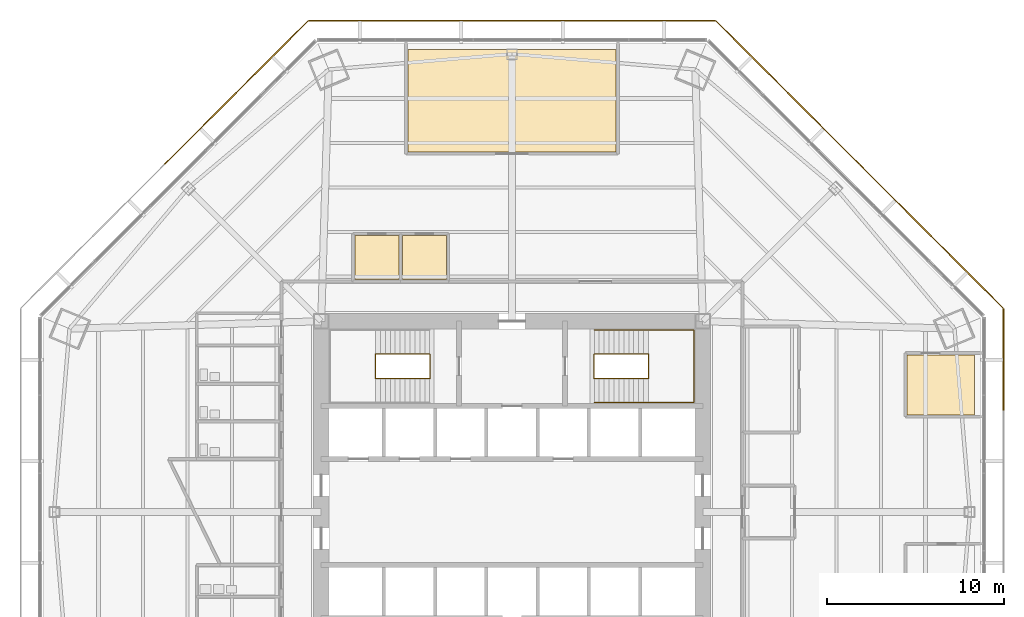
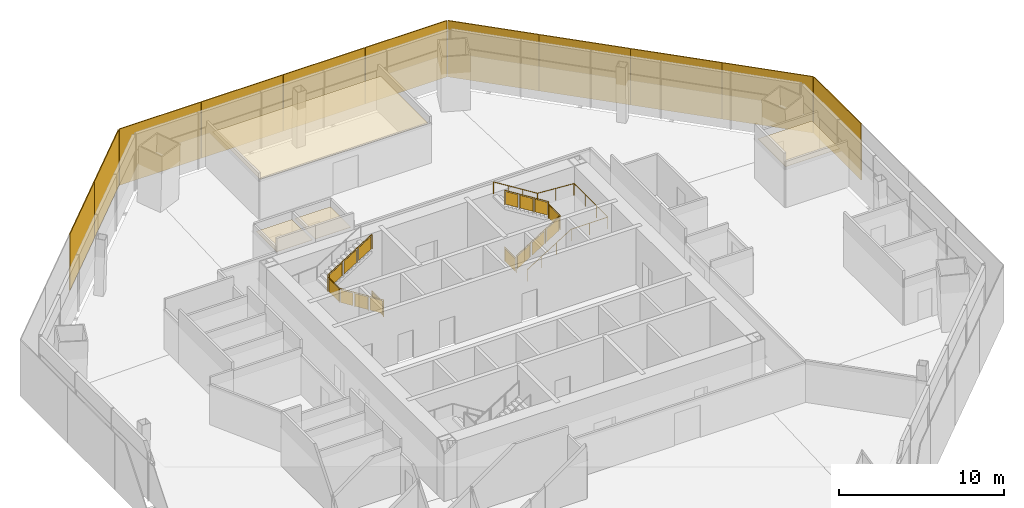
# One storey, part 12 of 13: 11 shading devices, 4 coverings, 3 railings.
"""IFC4 building model written with IfcOpenShell, lengths in metres."""

from ifc_helpers import new_model, si_unit, direction, frame, origin, origin_2d, place, context, subcontext, project, spatial, polyline, rectangle, circle, outline, extrude, source, transform, mapped, material, layer, layer_set, type_object, type_shapes, element, save


model = new_model("IFC4")

# Units and contexts
model_context = context("Model", 3, precision=1e-05, world=origin(), true_north=direction((0.0, 1.0)))
body_context = subcontext(model_context, "Body", "Model", "MODEL_VIEW")
ifc_project = project(units=[si_unit("LENGTHUNIT", "METRE"), si_unit("AREAUNIT", "SQUARE_METRE"), si_unit("VOLUMEUNIT", "CUBIC_METRE"), si_unit("PLANEANGLEUNIT", "RADIAN"), si_unit("MASSUNIT", "GRAM", prefix="KILO")], contexts=[model_context])

# Site, building, storey
site_placement = place(None, origin())
site = spatial("IfcSite", under=ifc_project, at=site_placement, CompositionType="ELEMENT")
building_placement = place(site_placement, origin())
building = spatial("IfcBuilding", under=site, at=building_placement, Name="Mashrafa Tower", CompositionType="ELEMENT")
storey_placement = place(building_placement, frame((0.0, 0.0, 45.60009765625)))
storey = spatial("IfcBuildingStorey", under=building, at=storey_placement, Name="L09", CompositionType="ELEMENT", Elevation=45.60009765625)

# Railings
ifc_material_1 = material(Name="Steel guard with glass infill", Category="steel")
railing_type_1 = type_object("IfcRailingType", Name="Stair guard 1100", PredefinedType="GUARDRAIL", material=ifc_material_1)
railing_1_placement = place(storey_placement, frame((-4.64990234375, 8.949951171875, 0.0)))
element("IfcRailing", 1, at=railing_1_placement, inside=storey, type_object=railing_type_1, Name="Stair S1 guard L09", PredefinedType="GUARDRAIL", context=body_context, shape_type="SweptSolid", body=[
    extrude(circle(Radius=0.02392578125, at=origin_2d()), frame((0.0, 0.0, 1.076171875), z_axis=(0.0, -1.0, 0.0), x_axis=(1.0, 0.0, 0.0)), (0.0, 0.0, 1.0), 1.39990234375),
    extrude(circle(Radius=0.02392578125, at=origin_2d()), frame((0.0, -1.39990234375, 1.076171875), z_axis=(0.0, 0.0, 1.0), x_axis=(1.0, 0.0, 0.0)), (0.0, 0.0, 1.0), 0.1748046875),
    extrude(circle(Radius=0.02392578125, at=origin_2d()), frame((0.0, -1.39990234375, 1.2509765625), z_axis=(-0.847998304005, 0.0, 0.529998940003), x_axis=(0.0, -1.0, 0.0)), (0.0, 0.0, 1.0), 3.632080078125),
    extrude(circle(Radius=0.02392578125, at=origin_2d()), frame((-3.080078125, -1.39990234375, 3.17578125), z_axis=(0.0, 1.0, 0.0), x_axis=(-1.0, 0.0, 0.0)), (0.0, 0.0, 1.0), 1.39990234375),
    extrude(circle(Radius=0.02392578125, at=origin_2d()), frame((-3.080078125, 0.0, 3.17578125), z_axis=(0.0, 0.0, 1.0), x_axis=(1.0, 0.0, 0.0)), (0.0, 0.0, 1.0), 0.175048828125),
    extrude(circle(Radius=0.02392578125, at=origin_2d()), frame((-3.080078125, 0.0, 3.35107421875), z_axis=(0.847998304005, 0.0, 0.529998940003), x_axis=(0.0, 1.0, 0.0)), (0.0, 0.0, 1.0), 3.632080078125),
    extrude(circle(Radius=0.02099609375, at=origin_2d()), origin(), (0.0, 0.0, 1.0), 1.052001953125),
    extrude(circle(Radius=0.02099609375, at=origin_2d()), frame((0.0, -1.39990234375, 0.0)), (0.0, 0.0, 1.0), 1.052001953125),
    extrude(circle(Radius=0.02099609375, at=origin_2d()), frame((0.0, -1.39990234375, 0.1748046875)), (0.0, 0.0, 1.0), 1.052001953125),
    extrude(circle(Radius=0.02099609375, at=origin_2d()), frame((-1.026611328125, -1.39990234375, 0.81640625)), (0.0, 0.0, 1.0), 1.052001953125),
    extrude(circle(Radius=0.02099609375, at=origin_2d()), frame((-2.053466796875, -1.39990234375, 1.458251953125)), (0.0, 0.0, 1.0), 1.052001953125),
    extrude(circle(Radius=0.02099609375, at=origin_2d()), frame((-3.080078125, -1.39990234375, 2.099853515625)), (0.0, 0.0, 1.0), 1.052001953125),
    extrude(circle(Radius=0.02099609375, at=origin_2d()), frame((-3.080078125, 0.0, 2.099853515625)), (0.0, 0.0, 1.0), 1.052001953125),
    extrude(circle(Radius=0.02099609375, at=origin_2d()), frame((-3.080078125, 0.0, 2.27490234375)), (0.0, 0.0, 1.0), 1.052001953125),
    extrude(circle(Radius=0.02099609375, at=origin_2d()), frame((-2.053466796875, 0.0, 2.91650390625)), (0.0, 0.0, 1.0), 1.052001953125),
    extrude(circle(Radius=0.02099609375, at=origin_2d()), frame((-1.026611328125, 0.0, 3.558349609375)), (0.0, 0.0, 1.0), 1.052001953125),
    extrude(circle(Radius=0.02099609375, at=origin_2d()), frame((0.0, 0.0, 4.199951171875)), (0.0, 0.0, 1.0), 1.052001953125),
    extrude(outline(polyline([(0.071044921875, 0.050048828125), (1.328857421875, 0.050048828125), (1.328857421875, 1.001953125), (0.071044921875, 1.001953125), (0.071044921875, 0.050048828125)])), frame((-0.006103515625, 0.0, 0.0), z_axis=(-1.0, 0.0, 0.0), x_axis=(0.0, -1.0, 0.0)), (0.0, 0.0, 1.0), 0.011962890625),
    extrude(outline(polyline([(0.071044921875, 0.094482421875), (0.955810546875, 0.647216796875), (0.955810546875, 1.599365234375), (0.071044921875, 1.04638671875), (0.071044921875, 0.094482421875)])), frame((0.0, -1.393798828125, 0.1748046875), z_axis=(0.0, 1.0, 0.0), x_axis=(-1.0, 0.0, 0.0)), (0.0, 0.0, 1.0), 0.011962890625),
    extrude(outline(polyline([(1.09765625, 0.736083984375), (1.982421875, 1.2890625), (1.982421875, 2.240966796875), (1.09765625, 1.68798828125), (1.09765625, 0.736083984375)])), frame((0.0, -1.393798828125, 0.1748046875), z_axis=(0.0, 1.0, 0.0), x_axis=(-1.0, 0.0, 0.0)), (0.0, 0.0, 1.0), 0.011962890625),
    extrude(outline(polyline([(2.124267578125, 1.377685546875), (3.009033203125, 1.9306640625), (3.009033203125, 2.882568359375), (2.124267578125, 2.329833984375), (2.124267578125, 1.377685546875)])), frame((0.0, -1.393798828125, 0.1748046875), z_axis=(0.0, 1.0, 0.0), x_axis=(-1.0, 0.0, 0.0)), (0.0, 0.0, 1.0), 0.011962890625),
    extrude(outline(polyline([(0.071044921875, 0.050048828125), (1.328857421875, 0.050048828125), (1.328857421875, 1.001953125), (0.071044921875, 1.001953125), (0.071044921875, 0.050048828125)])), frame((-3.073974609375, -1.39990234375, 2.099853515625), z_axis=(1.0, 0.0, 0.0), x_axis=(0.0, 1.0, 0.0)), (0.0, 0.0, 1.0), 0.011962890625),
    extrude(outline(polyline([(0.071044921875, 0.094482421875), (0.955810546875, 0.647216796875), (0.955810546875, 1.599365234375), (0.071044921875, 1.04638671875), (0.071044921875, 0.094482421875)])), frame((-3.080078125, -0.006103515625, 2.27490234375), z_axis=(0.0, -1.0, 0.0), x_axis=(1.0, 0.0, 0.0)), (0.0, 0.0, 1.0), 0.011962890625),
    extrude(outline(polyline([(1.09765625, 0.736083984375), (1.982421875, 1.2890625), (1.982421875, 2.240966796875), (1.09765625, 1.68798828125), (1.09765625, 0.736083984375)])), frame((-3.080078125, -0.006103515625, 2.27490234375), z_axis=(0.0, -1.0, 0.0), x_axis=(1.0, 0.0, 0.0)), (0.0, 0.0, 1.0), 0.011962890625),
    extrude(outline(polyline([(2.124267578125, 1.377685546875), (3.009033203125, 1.9306640625), (3.009033203125, 2.882568359375), (2.124267578125, 2.329833984375), (2.124267578125, 1.377685546875)])), frame((-3.080078125, -0.006103515625, 2.27490234375), z_axis=(0.0, -1.0, 0.0), x_axis=(1.0, 0.0, 0.0)), (0.0, 0.0, 1.0), 0.011962890625),
])
railing_2_placement = place(storey_placement, frame((4.64990234375, 8.949951171875, 0.0)))
element("IfcRailing", 2, at=railing_2_placement, inside=storey, type_object=railing_type_1, Name="Stair S2 guard L09", PredefinedType="GUARDRAIL", context=body_context, shape_type="SweptSolid", body=[
    extrude(circle(Radius=0.02392578125, at=origin_2d()), frame((0.0, 0.0, 1.076171875), z_axis=(0.0, -1.0, 0.0), x_axis=(1.0, 0.0, 0.0)), (0.0, 0.0, 1.0), 1.39990234375),
    extrude(circle(Radius=0.02392578125, at=origin_2d()), frame((0.0, -1.39990234375, 1.076171875), z_axis=(0.0, 0.0, 1.0), x_axis=(1.0, 0.0, 0.0)), (0.0, 0.0, 1.0), 0.1748046875),
    extrude(circle(Radius=0.02392578125, at=origin_2d()), frame((0.0, -1.39990234375, 1.2509765625), z_axis=(0.847998304005, 0.0, 0.529998940003), x_axis=(0.0, 1.0, 0.0)), (0.0, 0.0, 1.0), 3.632080078125),
    extrude(circle(Radius=0.02392578125, at=origin_2d()), frame((3.080078125, -1.39990234375, 3.17578125), z_axis=(0.0, 1.0, 0.0), x_axis=(-1.0, 0.0, 0.0)), (0.0, 0.0, 1.0), 1.39990234375),
    extrude(circle(Radius=0.02392578125, at=origin_2d()), frame((3.080078125, 0.0, 3.17578125), z_axis=(0.0, 0.0, 1.0), x_axis=(1.0, 0.0, 0.0)), (0.0, 0.0, 1.0), 0.175048828125),
    extrude(circle(Radius=0.02392578125, at=origin_2d()), frame((3.080078125, 0.0, 3.35107421875), z_axis=(-0.847998304005, 0.0, 0.529998940003), x_axis=(0.0, -1.0, 0.0)), (0.0, 0.0, 1.0), 3.632080078125),
    extrude(circle(Radius=0.02099609375, at=origin_2d()), origin(), (0.0, 0.0, 1.0), 1.052001953125),
    extrude(circle(Radius=0.02099609375, at=origin_2d()), frame((0.0, -1.39990234375, 0.0)), (0.0, 0.0, 1.0), 1.052001953125),
    extrude(circle(Radius=0.02099609375, at=origin_2d()), frame((0.0, -1.39990234375, 0.1748046875)), (0.0, 0.0, 1.0), 1.052001953125),
    extrude(circle(Radius=0.02099609375, at=origin_2d()), frame((1.026611328125, -1.39990234375, 0.81640625)), (0.0, 0.0, 1.0), 1.052001953125),
    extrude(circle(Radius=0.02099609375, at=origin_2d()), frame((2.053466796875, -1.39990234375, 1.458251953125)), (0.0, 0.0, 1.0), 1.052001953125),
    extrude(circle(Radius=0.02099609375, at=origin_2d()), frame((3.080078125, -1.39990234375, 2.099853515625)), (0.0, 0.0, 1.0), 1.052001953125),
    extrude(circle(Radius=0.02099609375, at=origin_2d()), frame((3.080078125, 0.0, 2.099853515625)), (0.0, 0.0, 1.0), 1.052001953125),
    extrude(circle(Radius=0.02099609375, at=origin_2d()), frame((3.080078125, 0.0, 2.27490234375)), (0.0, 0.0, 1.0), 1.052001953125),
    extrude(circle(Radius=0.02099609375, at=origin_2d()), frame((2.053466796875, 0.0, 2.91650390625)), (0.0, 0.0, 1.0), 1.052001953125),
    extrude(circle(Radius=0.02099609375, at=origin_2d()), frame((1.026611328125, 0.0, 3.558349609375)), (0.0, 0.0, 1.0), 1.052001953125),
    extrude(circle(Radius=0.02099609375, at=origin_2d()), frame((0.0, 0.0, 4.199951171875)), (0.0, 0.0, 1.0), 1.052001953125),
    extrude(outline(polyline([(0.071044921875, 0.050048828125), (1.328857421875, 0.050048828125), (1.328857421875, 1.001953125), (0.071044921875, 1.001953125), (0.071044921875, 0.050048828125)])), frame((-0.006103515625, 0.0, 0.0), z_axis=(-1.0, 0.0, 0.0), x_axis=(0.0, -1.0, 0.0)), (0.0, 0.0, 1.0), 0.011962890625),
    extrude(outline(polyline([(0.071044921875, 0.094482421875), (0.955810546875, 0.647216796875), (0.955810546875, 1.599365234375), (0.071044921875, 1.04638671875), (0.071044921875, 0.094482421875)])), frame((0.0, -1.406005859375, 0.1748046875), z_axis=(0.0, -1.0, 0.0), x_axis=(1.0, 0.0, 0.0)), (0.0, 0.0, 1.0), 0.011962890625),
    extrude(outline(polyline([(1.09765625, 0.736083984375), (1.982421875, 1.2890625), (1.982421875, 2.240966796875), (1.09765625, 1.68798828125), (1.09765625, 0.736083984375)])), frame((0.0, -1.406005859375, 0.1748046875), z_axis=(0.0, -1.0, 0.0), x_axis=(1.0, 0.0, 0.0)), (0.0, 0.0, 1.0), 0.011962890625),
    extrude(outline(polyline([(2.124267578125, 1.377685546875), (3.009033203125, 1.9306640625), (3.009033203125, 2.882568359375), (2.124267578125, 2.329833984375), (2.124267578125, 1.377685546875)])), frame((0.0, -1.406005859375, 0.1748046875), z_axis=(0.0, -1.0, 0.0), x_axis=(1.0, 0.0, 0.0)), (0.0, 0.0, 1.0), 0.011962890625),
    extrude(outline(polyline([(0.071044921875, 0.050048828125), (1.328857421875, 0.050048828125), (1.328857421875, 1.001953125), (0.071044921875, 1.001953125), (0.071044921875, 0.050048828125)])), frame((3.086181640625, -1.39990234375, 2.099853515625), z_axis=(1.0, 0.0, 0.0), x_axis=(0.0, 1.0, 0.0)), (0.0, 0.0, 1.0), 0.011962890625),
    extrude(outline(polyline([(0.071044921875, 0.094482421875), (0.955810546875, 0.647216796875), (0.955810546875, 1.599365234375), (0.071044921875, 1.04638671875), (0.071044921875, 0.094482421875)])), frame((3.080078125, 0.006103515625, 2.27490234375), z_axis=(0.0, 1.0, 0.0), x_axis=(-1.0, 0.0, 0.0)), (0.0, 0.0, 1.0), 0.011962890625),
    extrude(outline(polyline([(1.09765625, 0.736083984375), (1.982421875, 1.2890625), (1.982421875, 2.240966796875), (1.09765625, 1.68798828125), (1.09765625, 0.736083984375)])), frame((3.080078125, 0.006103515625, 2.27490234375), z_axis=(0.0, 1.0, 0.0), x_axis=(-1.0, 0.0, 0.0)), (0.0, 0.0, 1.0), 0.011962890625),
    extrude(outline(polyline([(2.124267578125, 1.377685546875), (3.009033203125, 1.9306640625), (3.009033203125, 2.882568359375), (2.124267578125, 2.329833984375), (2.124267578125, 1.377685546875)])), frame((3.080078125, 0.006103515625, 2.27490234375), z_axis=(0.0, 1.0, 0.0), x_axis=(-1.0, 0.0, 0.0)), (0.0, 0.0, 1.0), 0.011962890625),
])
ifc_material_2 = material(Name="Steel", Category="steel")
railing_type_2 = type_object("IfcRailingType", Name="Stair handrail 900", PredefinedType="HANDRAIL", material=ifc_material_2)
railing_3_placement = place(storey_placement, frame((4.64990234375, 6.199951171875, 0.1748046875)))
element("IfcRailing", 3, at=railing_3_placement, inside=storey, type_object=railing_type_2, Name="Stair S2 handrail L09", PredefinedType="HANDRAIL", context=body_context, shape_type="SweptSolid", body=[
    extrude(circle(Radius=0.02392578125, at=origin_2d()), frame((0.0, 0.0, 0.8759765625), z_axis=(0.847998304005, 0.0, 0.529998940003), x_axis=(0.0, 1.0, 0.0)), (0.0, 0.0, 1.0), 3.632080078125),
    extrude(circle(Radius=0.02392578125, at=origin_2d()), frame((3.080078125, 0.0, 2.80078125), z_axis=(1.0, 0.0, 0.0), x_axis=(0.0, 1.0, 0.0)), (0.0, 0.0, 1.0), 2.570068359375),
    extrude(circle(Radius=0.02392578125, at=origin_2d()), frame((5.650146484375, 0.0, 2.80078125), z_axis=(0.0, 1.0, 0.0), x_axis=(-1.0, 0.0, 0.0)), (0.0, 0.0, 1.0), 4.10009765625),
    extrude(circle(Radius=0.02392578125, at=origin_2d()), frame((5.650146484375, 4.10009765625, 2.80078125), z_axis=(-0.997688514158, 0.0, 0.067953136188), x_axis=(0.0, -1.0, 0.0)), (0.0, 0.0, 1.0), 2.575927734375),
    extrude(circle(Radius=0.02392578125, at=origin_2d()), frame((3.080078125, 4.10009765625, 2.97607421875), z_axis=(-0.847998304005, 0.0, 0.529998940003), x_axis=(0.0, -1.0, 0.0)), (0.0, 0.0, 1.0), 3.632080078125),
    extrude(circle(Radius=0.02099609375, at=origin_2d()), origin(), (0.0, 0.0, 1.0), 0.851806640625),
    extrude(circle(Radius=0.02099609375, at=origin_2d()), frame((1.026611328125, 0.0, 0.6416015625)), (0.0, 0.0, 1.0), 0.851806640625),
    extrude(circle(Radius=0.02099609375, at=origin_2d()), frame((2.053466796875, 0.0, 1.283447265625)), (0.0, 0.0, 1.0), 0.851806640625),
    extrude(circle(Radius=0.02099609375, at=origin_2d()), frame((3.080078125, 0.0, 1.925048828125)), (0.0, 0.0, 1.0), 0.851806640625),
    extrude(circle(Radius=0.02099609375, at=origin_2d()), frame((4.365234375, 0.0, 1.925048828125)), (0.0, 0.0, 1.0), 0.851806640625),
    extrude(circle(Radius=0.02099609375, at=origin_2d()), frame((5.650146484375, 0.0, 1.925048828125)), (0.0, 0.0, 1.0), 0.851806640625),
    extrude(circle(Radius=0.02099609375, at=origin_2d()), frame((5.650146484375, 1.36669921875, 1.925048828125)), (0.0, 0.0, 1.0), 0.851806640625),
    extrude(circle(Radius=0.02099609375, at=origin_2d()), frame((5.650146484375, 2.7333984375, 1.925048828125)), (0.0, 0.0, 1.0), 0.851806640625),
    extrude(circle(Radius=0.02099609375, at=origin_2d()), frame((5.650146484375, 4.10009765625, 1.925048828125)), (0.0, 0.0, 1.0), 0.851806640625),
    extrude(circle(Radius=0.02099609375, at=origin_2d()), frame((4.365234375, 4.10009765625, 2.0126953125)), (0.0, 0.0, 1.0), 0.851806640625),
    extrude(circle(Radius=0.02099609375, at=origin_2d()), frame((3.080078125, 4.10009765625, 2.10009765625)), (0.0, 0.0, 1.0), 0.851806640625),
    extrude(circle(Radius=0.02099609375, at=origin_2d()), frame((2.053466796875, 4.10009765625, 2.74169921875)), (0.0, 0.0, 1.0), 0.851806640625),
    extrude(circle(Radius=0.02099609375, at=origin_2d()), frame((1.026611328125, 4.10009765625, 3.383544921875)), (0.0, 0.0, 1.0), 0.851806640625),
    extrude(circle(Radius=0.02099609375, at=origin_2d()), frame((0.0, 4.10009765625, 4.025146484375)), (0.0, 0.0, 1.0), 0.851806640625),
])

# Coverings
ifc_material_3 = material(Name="Mineral fibre tile on suspension grid")
ifc_layer_1 = layer(ifc_material_3, 0.014892578125)
ifc_layer_set_1 = layer_set([ifc_layer_1], Name="Suspended ceiling mineral tile 15")
covering_type = type_object("IfcCoveringType", Name="Suspended ceiling mineral tile 15", PredefinedType="CEILING", material=ifc_layer_set_1)
covering_1_placement = place(storey_placement, frame((0.0, 0.0, 2.89990234375)))
element("IfcCovering", 4, at=covering_1_placement, inside=storey, type_object=covering_type, Name="Ceiling Meeting Room 09-3", PredefinedType="CEILING", context=body_context, shape_type="SweptSolid", body=[
    extrude(outline(polyline([(22.374755859375, 8.89990234375), (26.1748046875, 8.89990234375), (26.1748046875, 5.5), (22.374755859375, 5.5), (22.374755859375, 8.89990234375)])), origin(), (0.0, 0.0, 1.0), 0.014892578125),
])
covering_2_placement = place(storey_placement, frame((0.0, 0.0, 2.849853515625)))
element("IfcCovering", 5, at=covering_2_placement, inside=storey, type_object=covering_type, Name="Ceiling Training Room 09", PredefinedType="CEILING", context=body_context, shape_type="SweptSolid", body=[
    extrude(outline(polyline([(-5.89990234375, 26.1748046875), (5.89990234375, 26.1748046875), (5.89990234375, 20.374755859375), (-5.89990234375, 20.374755859375), (-5.89990234375, 26.1748046875)])), origin(), (0.0, 0.0, 1.0), 0.01513671875),
])
covering_3_placement = place(storey_placement, frame((0.0, 0.0, 2.89990234375)))
element("IfcCovering", 6, at=covering_3_placement, inside=storey, type_object=covering_type, Name="Ceiling Quiet Room 09-1", PredefinedType="CEILING", context=body_context, shape_type="SweptSolid", body=[
    extrude(outline(polyline([(-6.199951171875, 15.64990234375), (-3.699951171875, 15.64990234375), (-3.699951171875, 13.14990234375), (-6.199951171875, 13.14990234375), (-6.199951171875, 15.64990234375)])), origin(), (0.0, 0.0, 1.0), 0.014892578125),
])
covering_4_placement = place(storey_placement, frame((0.0, 0.0, 2.89990234375)))
element("IfcCovering", 7, at=covering_4_placement, inside=storey, type_object=covering_type, Name="Ceiling Quiet Room 09-2", PredefinedType="CEILING", context=body_context, shape_type="SweptSolid", body=[
    extrude(outline(polyline([(-8.89990234375, 15.64990234375), (-6.39990234375, 15.64990234375), (-6.39990234375, 13.14990234375), (-8.89990234375, 13.14990234375), (-8.89990234375, 15.64990234375)])), origin(), (0.0, 0.0, 1.0), 0.014892578125),
])

# Shading devices
ifc_material_4 = material(Name="Perforated aluminium plate, eight-point star pattern", Category="aluminium")
ifc_layer_2 = layer(ifc_material_4, 0.06005859375)
ifc_layer_set_2 = layer_set([ifc_layer_2], Name="Mashrabiya screen panel office zone 1, 45 percent open")
shading_device_type = type_object("IfcShadingDeviceType", Name="Mashrabiya screen panel office zone 1, 45 percent open", PredefinedType="SHUTTER", material=ifc_layer_set_2)
shared_shape = source(origin(), body_context, "Body", "SweptSolid", [
    extrude(rectangle(XDim=5.7314453125, YDim=0.06005859375, at=origin_2d()), origin(), (0.0, 0.0, 1.0), 4.179931640625),
])
type_shapes(shading_device_type, [shared_shape])
for number, where, z_axis, x_axis, name in (
    (8, (27.82470703125, 8.627197265625, -0.14990234375), (0.0, 0.0, 1.0), (0.0, 1.0, 0.0), "Mashrabiya screen L09 east 4"),
    (9, (25.775390625, 13.57470703125, -0.14990234375), (0.0, 0.0, 1.0), (-0.707106781187, 0.707106781187, 0.0), "Mashrabiya screen L09 north-east 1"),
    (10, (21.70849609375, 17.6416015625, -0.14990234375), (0.0, 0.0, 1.0), (-0.707106781187, 0.707106781187, 0.0), "Mashrabiya screen L09 north-east 2"),
    (11, (17.6416015625, 21.70849609375, -0.14990234375), (0.0, 0.0, 1.0), (-0.707106781187, 0.707106781187, 0.0), "Mashrabiya screen L09 north-east 3"),
    (12, (13.57470703125, 25.775390625, -0.14990234375), (0.0, 0.0, 1.0), (-0.707106781187, 0.707106781187, 0.0), "Mashrabiya screen L09 north-east 4"),
    (13, (8.627197265625, 27.82470703125, -0.14990234375), (0.0, 0.0, 1.0), (-1.0, 0.0, 0.0), "Mashrabiya screen L09 north 1"),
    (14, (2.875732421875, 27.82470703125, -0.14990234375), (0.0, 0.0, 1.0), (-1.0, 0.0, 0.0), "Mashrabiya screen L09 north 2"),
    (15, (-2.875732421875, 27.82470703125, -0.14990234375), (0.0, 0.0, 1.0), (-1.0, 0.0, 0.0), "Mashrabiya screen L09 north 3"),
    (16, (-8.627197265625, 27.82470703125, -0.14990234375), (0.0, 0.0, 1.0), (-1.0, 0.0, 0.0), "Mashrabiya screen L09 north 4"),
    (17, (-13.57470703125, 25.775390625, -0.14990234375), (0.0, 0.0, 1.0), (-0.707106781187, -0.707106781187, 0.0), "Mashrabiya screen L09 north-west 1"),
    (18, (-17.6416015625, 21.70849609375, -0.14990234375), (0.0, 0.0, 1.0), (-0.707106781187, -0.707106781187, 0.0), "Mashrabiya screen L09 north-west 2"),
):
    element("IfcShadingDevice", number, at=place(storey_placement, frame(where, z_axis=z_axis, x_axis=x_axis)), inside=storey, type_object=shading_device_type, Name=name, PredefinedType="SHUTTER", context=body_context, shape_type="MappedRepresentation", body=[
        mapped(shared_shape, transform((0.0, 0.0, 0.0))),
    ])

save(model, "model.ifc")
